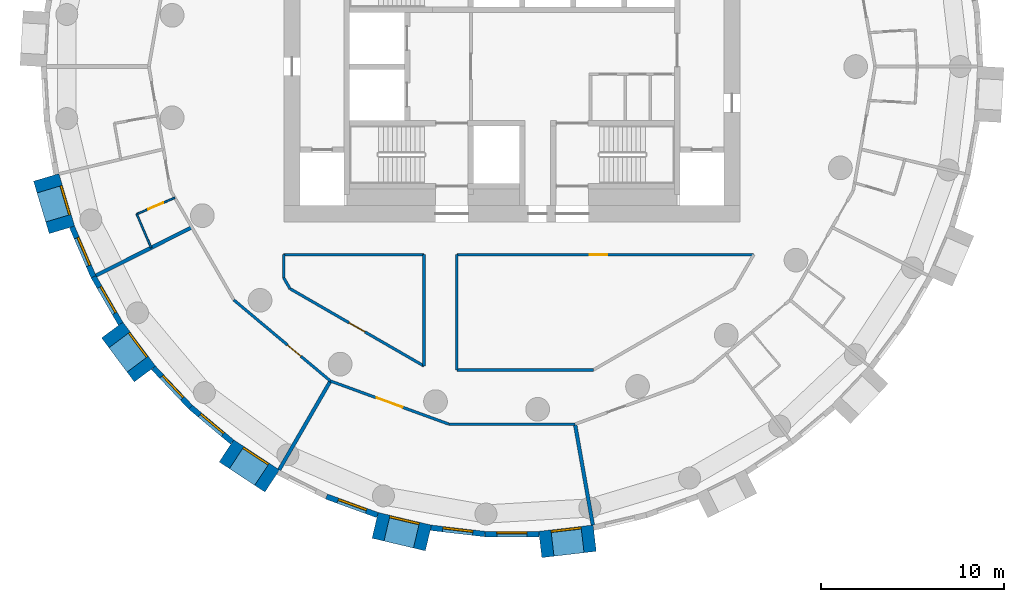
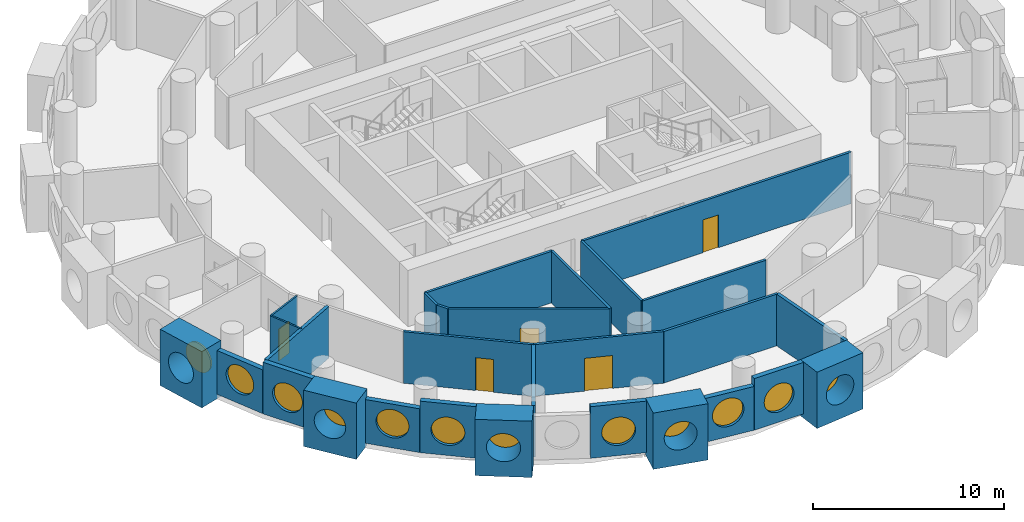
# One storey, part 2 of 9: 28 walls, 12 windows, 5 doors, 17 openings.
"""IFC4 building model written with IfcOpenShell, lengths in metres."""

import ifcopenshell
import ifcopenshell.guid

model = None  # the IFC model being written
_history = None  # IfcOwnerHistory: only IFC2X3 demands one
_inside = {}  # id of a spatial element -> (the spatial element, [elements in it])
_under = {}  # id of a project, library or spatial element -> (it, [spatial elements below it])
_declared = {}  # id of a project -> (the project, [libraries it declares])
_typed = {}  # id of a type object -> (the type object, [elements of that type])
_made_of = {}  # id of a material, layer set ... -> (it, [elements and type objects made of it])


def new_model(schema):
    """Start an empty IFC model of exactly this schema.

    Asked for "IFC4X3", IfcOpenShell would pick the latest addendum, in which some entities
    have other attributes; the version numbers below select the first issue.
    IFC2X3 requires an IfcOwnerHistory on every rooted entity: one is made here for all.
    """
    global model, _history
    if schema == "IFC4X3":
        model = ifcopenshell.file(schema_version=(4, 3, 0, 0))
    else:
        model = ifcopenshell.file(schema=schema)
    _inside.clear()
    _under.clear()
    _declared.clear()
    _typed.clear()
    _made_of.clear()
    _history = None
    if model.schema == "IFC2X3":
        org = make("IfcOrganization", Name="unknown")
        user = make(
            "IfcPersonAndOrganization",
            ThePerson=make("IfcPerson", FamilyName="unknown"),
            TheOrganization=org,
        )
        app = make(
            "IfcApplication",
            ApplicationDeveloper=org,
            Version="unknown",
            ApplicationFullName="unknown",
            ApplicationIdentifier="unknown",
        )
        _history = make(
            "IfcOwnerHistory",
            OwningUser=user,
            OwningApplication=app,
            ChangeAction="ADDED",
            CreationDate=0,
        )
    return model


def make(cls, **values):
    """One entity of the class cls with the attributes given. An attribute that is None is left unset."""
    return model.create_entity(
        cls, **{name: value for name, value in values.items() if value is not None}
    )


def rooted(cls, **values):
    """An entity with a GlobalId (a new one), such as an element, a storey or a relation."""
    return make(cls, GlobalId=ifcopenshell.guid.new(), OwnerHistory=_history, **values)


def si_unit(unit_type, name, prefix=None):
    """IfcSIUnit, for example si_unit("LENGTHUNIT", "METRE", prefix="MILLI")."""
    return make("IfcSIUnit", UnitType=unit_type, Prefix=prefix, Name=name)


def assignment(units):
    """IfcUnitAssignment: the units of a project."""
    return None if units is None else make("IfcUnitAssignment", Units=units)


def point(xyz):
    """IfcCartesianPoint."""
    return None if xyz is None else make("IfcCartesianPoint", Coordinates=xyz)


def direction(xyz):
    """IfcDirection."""
    return None if xyz is None else make("IfcDirection", DirectionRatios=xyz)


def frame(location, z_axis=None, x_axis=None):
    """IfcAxis2Placement3D, a coordinate frame: its origin and axes. An axis left out is left unset."""
    return make(
        "IfcAxis2Placement3D",
        Location=point(location),
        Axis=direction(z_axis),
        RefDirection=direction(x_axis),
    )


def frame_2d(location, x_axis=None):
    """IfcAxis2Placement2D, a coordinate frame in the plane: its origin and x axis."""
    return make(
        "IfcAxis2Placement2D", Location=point(location), RefDirection=direction(x_axis)
    )


def origin():
    """The frame at (0, 0, 0) with its axes left unset."""
    return frame((0.0, 0.0, 0.0))


def origin_2d():
    """The frame at (0, 0) in the plane with its x axis left unset."""
    return frame_2d((0.0, 0.0))


def place(relative_to, where):
    """IfcLocalPlacement: puts the frame where relative to a parent placement (None: the world)."""
    return make(
        "IfcLocalPlacement", PlacementRelTo=relative_to, RelativePlacement=where
    )


def context(
    kind, dimensions, precision=None, world=None, true_north=None, identifier=None
):
    """IfcGeometricRepresentationContext, for example the 3D "Model" context."""
    return make(
        "IfcGeometricRepresentationContext",
        ContextIdentifier=identifier,
        ContextType=kind,
        CoordinateSpaceDimension=dimensions,
        Precision=precision,
        WorldCoordinateSystem=world,
        TrueNorth=true_north,
    )


def subcontext(parent, identifier, kind, view, scale=None):
    """IfcGeometricRepresentationSubContext, for example "Body" below "Model"."""
    return make(
        "IfcGeometricRepresentationSubContext",
        ContextIdentifier=identifier,
        ContextType=kind,
        ParentContext=parent,
        TargetScale=scale,
        TargetView=view,
    )


def project(units=None, contexts=None):
    """IfcProject with its units and contexts."""
    return rooted(
        "IfcProject",
        Name="project",
        RepresentationContexts=contexts,
        UnitsInContext=assignment(units),
    )


def spatial(cls, under=None, at=None, **own):
    """A site, building, storey or space (cls), placed at a placement, below another one or the project."""
    s = rooted(cls, ObjectPlacement=at, **own)
    if under is not None:
        _under.setdefault(under.id(), (under, []))[1].append(s)
    return s


def profile(cls, at=None, kind="AREA", **sizes):
    """A parametric profile (cls). Its sizes go by their IFC names, for example OverallWidth=200.0."""
    return make(cls, ProfileType=kind, Position=at, **sizes)


def rectangle(**sizes):
    """IfcRectangleProfileDef."""
    return profile("IfcRectangleProfileDef", **sizes)


def circle(**sizes):
    """IfcCircleProfileDef."""
    return profile("IfcCircleProfileDef", **sizes)


def extrude(swept, where, along, depth):
    """IfcExtrudedAreaSolid: the profile swept, set in the frame where, extruded along a direction by depth."""
    return make(
        "IfcExtrudedAreaSolid",
        SweptArea=swept,
        Position=where,
        ExtrudedDirection=direction(along),
        Depth=depth,
    )


def shape(context_of_items, identifier, shape_type, items):
    """IfcShapeRepresentation: the items that make up one representation, for example the "Body"."""
    return make(
        "IfcShapeRepresentation",
        ContextOfItems=context_of_items,
        RepresentationIdentifier=identifier,
        RepresentationType=shape_type,
        Items=items,
    )


def material(Name=None, Category=None):
    """IfcMaterial."""
    return make("IfcMaterial", Name=Name, Category=Category)


def layer(
    of_material, thickness, ventilated=None, Name=None, Category=None, Priority=None
):
    """IfcMaterialLayer: one layer of a wall or slab, of a material (None: an air gap)."""
    return make(
        "IfcMaterialLayer",
        Material=of_material,
        LayerThickness=thickness,
        IsVentilated=ventilated,
        Name=Name,
        Category=Category,
        Priority=Priority,
    )


def layer_set(layers, Name=None):
    """IfcMaterialLayerSet."""
    return make("IfcMaterialLayerSet", MaterialLayers=layers, LayerSetName=Name)


def made_of(thing, what):
    """Note that an element or type object is made of a material, layer set ...; save() writes the relation."""
    if what is not None:
        _made_of.setdefault(what.id(), (what, []))[1].append(thing)
    return thing


def type_object(cls, material=None, **own):
    """A type object (cls), such as IfcWallType, which elements share."""
    return made_of(rooted(cls, **own), material)


def element(
    cls,
    number,
    at=None,
    inside=None,
    cuts=None,
    type_object=None,
    material=None,
    context=None,
    identifier="Body",
    shape_type=None,
    held_by="IfcProductDefinitionShape",
    body=None,
    shapes=None,
    **own,
):
    """One element of the class cls, such as IfcWall. Its Tag is "e" and its number.

    at: its placement. inside: the storey or other place that contains it. cuts: it is an
    opening in that element (IfcRelVoidsElement). A single representation is given by context,
    identifier, shape_type and body (its items); several are given by shapes. held_by: the class
    of the entity that holds the representations. save() writes the other relations.
    """
    e = rooted(cls, Tag="e%d" % number, ObjectPlacement=at, **own)
    if body is not None:
        shapes = [shape(context, identifier, shape_type, body)]
    if shapes is not None:
        e.Representation = make(held_by, Representations=shapes)
    if inside is not None:
        _inside.setdefault(inside.id(), (inside, []))[1].append(e)
    if cuts is not None:
        rooted(
            "IfcRelVoidsElement", RelatingBuildingElement=cuts, RelatedOpeningElement=e
        )
    if type_object is not None:
        _typed.setdefault(type_object.id(), (type_object, []))[1].append(e)
    return made_of(e, material)


def fill(opening, filler):
    """IfcRelFillsElement: the door or window that sits in an opening."""
    return rooted(
        "IfcRelFillsElement",
        RelatingOpeningElement=opening,
        RelatedBuildingElement=filler,
    )


def aggregate(whole, parts):
    """IfcRelAggregates: a whole, such as a stair, and the parts it consists of."""
    return rooted("IfcRelAggregates", RelatingObject=whole, RelatedObjects=parts)


def save(model, path):
    """Write the relations noted so far, then the file.

    IfcRelAggregates (storeys below a building ...), IfcRelContainedInSpatialStructure (elements
    in a storey), IfcRelDefinesByType, IfcRelAssociatesMaterial and IfcRelDeclares: one each for
    every whole, place, type object, material and project.
    """
    for whole, parts in _under.values():
        aggregate(whole, parts)
    for where, things in _inside.values():
        rooted(
            "IfcRelContainedInSpatialStructure",
            RelatedElements=things,
            RelatingStructure=where,
        )
    for kind, things in _typed.values():
        rooted("IfcRelDefinesByType", RelatedObjects=things, RelatingType=kind)
    for what, things in _made_of.values():
        rooted("IfcRelAssociatesMaterial", RelatedObjects=things, RelatingMaterial=what)
    for by, libraries in _declared.values():
        rooted("IfcRelDeclares", RelatingContext=by, RelatedDefinitions=libraries)
    model.write(path)


model = new_model("IFC4")

# Units and contexts
model_context = context("Model", 3, precision=1e-05, world=origin(), true_north=direction((0.0, 1.0)))
body_context = subcontext(model_context, "Body", "Model", "MODEL_VIEW")
ifc_project = project(units=[si_unit("LENGTHUNIT", "METRE"), si_unit("AREAUNIT", "SQUARE_METRE"), si_unit("VOLUMEUNIT", "CUBIC_METRE"), si_unit("PLANEANGLEUNIT", "RADIAN"), si_unit("MASSUNIT", "GRAM", prefix="KILO")], contexts=[model_context])

# Site, building, storey
site_placement = place(None, origin())
site = spatial("IfcSite", under=ifc_project, at=site_placement, CompositionType="ELEMENT")
building_placement = place(site_placement, origin())
building = spatial("IfcBuilding", under=site, at=building_placement, Name="Tracery Tower", CompositionType="ELEMENT")
storey_placement = place(building_placement, frame((0.0, 0.0, 190.800048828125)))
storey = spatial("IfcBuildingStorey", under=building, at=storey_placement, Name="L49", CompositionType="ELEMENT", Elevation=190.800048828125)

# Wall, opening, window
ifc_material_1 = material(Name="Precast concrete C50/60", Category="concrete")
ifc_layer_1 = layer(ifc_material_1, 1.449951171875)
ifc_layer_set_1 = layer_set([ifc_layer_1], Name="Deep-set bay unit 3000 x 3600, slab edge 300")
wall_type_1 = type_object("IfcWallType", Name="Deep-set bay unit 3000 x 3600, slab edge 300", PredefinedType="ELEMENTEDWALL", material=ifc_layer_set_1)
wall_1_placement = place(storey_placement, frame((-25.509521484375, -6.0712890625, -0.300048828125), z_axis=(0.0, 0.0, 1.0), x_axis=(0.286780420304, -0.957996341606, 0.0)))
wall_1 = element("IfcWall", 1, at=wall_1_placement, inside=storey, type_object=wall_type_1, Name="Deep-set bay unit 30 at L49", PredefinedType="ELEMENTEDWALL", context=body_context, shape_type="SweptSolid", body=[
    extrude(rectangle(XDim=3.0, YDim=1.449951171875, at=frame_2d((1.5, 0.0))), origin(), (0.0, 0.0, 1.0), 3.60009765625),
])
opening_1_placement = place(wall_1_placement, frame((1.5, 0.0, 1.85009765625)))
opening_1 = element("IfcOpeningElement", 2, at=opening_1_placement, cuts=wall_1, Name="Opening WN1", PredefinedType="OPENING", context=body_context, shape_type="SweptSolid", body=[
    extrude(circle(Radius=0.9000244140625, at=origin_2d()), frame((0.0, 0.73486328125, 0.0), z_axis=(0.0, -1.0, 0.0), x_axis=(1.0, 0.0, 0.0)), (0.0, 0.0, 1.0), 1.469970703125),
])
ifc_material_2 = material(Name="Aluminium frame with tinted double glazing", Category="aluminium")
window_type = type_object("IfcWindowType", Name="Round window 1800", PartitioningType="SINGLE_PANEL", PredefinedType="WINDOW", material=ifc_material_2)
window_1_placement = place(opening_1_placement, origin())
window_1 = element("IfcWindow", 3, at=window_1_placement, inside=storey, type_object=window_type, Name="Round window 30 at L49", OverallHeight=1.800048828125, OverallWidth=1.800048828125, PartitioningType="SINGLE_PANEL", PredefinedType="WINDOW", context=body_context, shape_type="SweptSolid", body=[
    extrude(circle(Radius=0.9000244140625, at=origin_2d()), frame((0.0, 0.69482421875, 0.0), z_axis=(0.0, -1.0, 0.0), x_axis=(1.0, 0.0, 0.0)), (0.0, 0.0, 1.0), 0.10009765625),
])
fill(opening_1, window_1)

wall_2_placement = place(storey_placement, frame((-21.89453125, -14.429931640625, -0.300048828125), z_axis=(0.0, 0.0, 1.0), x_axis=(0.597183717734, -0.802104486506, 0.0)))
wall_2 = element("IfcWall", 4, at=wall_2_placement, inside=storey, type_object=wall_type_1, Name="Deep-set bay unit 33 at L49", PredefinedType="ELEMENTEDWALL", context=body_context, shape_type="SweptSolid", body=[
    extrude(rectangle(XDim=3.0, YDim=1.449951171875, at=frame_2d((1.5, 0.0))), origin(), (0.0, 0.0, 1.0), 3.60009765625),
])
opening_2_placement = place(wall_2_placement, frame((1.5, 0.0, 1.85009765625)))
opening_2 = element("IfcOpeningElement", 5, at=opening_2_placement, cuts=wall_2, Name="Opening WN1", PredefinedType="OPENING", context=body_context, shape_type="SweptSolid", body=[
    extrude(circle(Radius=0.9000244140625, at=origin_2d()), frame((0.0, 0.73486328125, 0.0), z_axis=(0.0, -1.0, 0.0), x_axis=(1.0, 0.0, 0.0)), (0.0, 0.0, 1.0), 1.469970703125),
])
window_2_placement = place(opening_2_placement, origin())
window_2 = element("IfcWindow", 6, at=window_2_placement, inside=storey, type_object=window_type, Name="Round window 33 at L49", OverallHeight=1.800048828125, OverallWidth=1.800048828125, PartitioningType="SINGLE_PANEL", PredefinedType="WINDOW", context=body_context, shape_type="SweptSolid", body=[
    extrude(circle(Radius=0.9000244140625, at=origin_2d()), frame((0.0, 0.69482421875, 0.0), z_axis=(0.0, -1.0, 0.0), x_axis=(1.0, 0.0, 0.0)), (0.0, 0.0, 1.0), 0.10009765625),
])
fill(opening_2, window_2)

wall_3_placement = place(storey_placement, frame((-15.638916015625, -21.048095703125, -0.300048828125), z_axis=(0.0, 0.0, 1.0), x_axis=(0.835514416706, -0.549468524554, 0.0)))
wall_3 = element("IfcWall", 7, at=wall_3_placement, inside=storey, type_object=wall_type_1, Name="Deep-set bay unit 36 at L49", PredefinedType="ELEMENTEDWALL", context=body_context, shape_type="SweptSolid", body=[
    extrude(rectangle(XDim=3.0, YDim=1.449951171875, at=frame_2d((1.5, 0.0))), origin(), (0.0, 0.0, 1.0), 3.60009765625),
])
opening_3_placement = place(wall_3_placement, frame((1.5, 0.0, 1.85009765625)))
opening_3 = element("IfcOpeningElement", 8, at=opening_3_placement, cuts=wall_3, Name="Opening WN1", PredefinedType="OPENING", context=body_context, shape_type="SweptSolid", body=[
    extrude(circle(Radius=0.9000244140625, at=origin_2d()), frame((0.0, 0.73486328125, 0.0), z_axis=(0.0, -1.0, 0.0), x_axis=(1.0, 0.0, 0.0)), (0.0, 0.0, 1.0), 1.469970703125),
])
window_3_placement = place(opening_3_placement, origin())
window_3 = element("IfcWindow", 9, at=window_3_placement, inside=storey, type_object=window_type, Name="Round window 36 at L49", OverallHeight=1.800048828125, OverallWidth=1.800048828125, PartitioningType="SINGLE_PANEL", PredefinedType="WINDOW", context=body_context, shape_type="SweptSolid", body=[
    extrude(circle(Radius=0.9000244140625, at=origin_2d()), frame((0.0, 0.69482421875, 0.0), z_axis=(0.0, -1.0, 0.0), x_axis=(1.0, 0.0, 0.0)), (0.0, 0.0, 1.0), 0.10009765625),
])
fill(opening_3, window_3)

wall_4_placement = place(storey_placement, frame((-7.496826171875, -25.12744140625, -0.300048828125), z_axis=(0.0, 0.0, 1.0), x_axis=(0.973042333261, -0.23062657627, 0.0)))
wall_4 = element("IfcWall", 10, at=wall_4_placement, inside=storey, type_object=wall_type_1, Name="Deep-set bay unit 39 at L49", PredefinedType="ELEMENTEDWALL", context=body_context, shape_type="SweptSolid", body=[
    extrude(rectangle(XDim=3.0, YDim=1.449951171875, at=frame_2d((1.5, 0.0))), origin(), (0.0, 0.0, 1.0), 3.60009765625),
])
opening_4_placement = place(wall_4_placement, frame((1.5, 0.0, 1.85009765625)))
opening_4 = element("IfcOpeningElement", 11, at=opening_4_placement, cuts=wall_4, Name="Opening WN1", PredefinedType="OPENING", context=body_context, shape_type="SweptSolid", body=[
    extrude(circle(Radius=0.9000244140625, at=origin_2d()), frame((0.0, 0.73486328125, 0.0), z_axis=(0.0, -1.0, 0.0), x_axis=(1.0, 0.0, 0.0)), (0.0, 0.0, 1.0), 1.469970703125),
])
window_4_placement = place(opening_4_placement, origin())
window_4 = element("IfcWindow", 12, at=window_4_placement, inside=storey, type_object=window_type, Name="Round window 39 at L49", OverallHeight=1.800048828125, OverallWidth=1.800048828125, PartitioningType="SINGLE_PANEL", PredefinedType="WINDOW", context=body_context, shape_type="SweptSolid", body=[
    extrude(circle(Radius=0.9000244140625, at=origin_2d()), frame((0.0, 0.69482421875, 0.0), z_axis=(0.0, -1.0, 0.0), x_axis=(1.0, 0.0, 0.0)), (0.0, 0.0, 1.0), 0.10009765625),
])
fill(opening_4, window_4)

wall_5_placement = place(storey_placement, frame((1.54931640625, -26.17626953125, -0.300048828125), z_axis=(0.0, 0.0, 1.0), x_axis=(0.9932342274, 0.116128246006, 0.0)))
wall_5 = element("IfcWall", 13, at=wall_5_placement, inside=storey, type_object=wall_type_1, Name="Deep-set bay unit 42 at L49", PredefinedType="ELEMENTEDWALL", context=body_context, shape_type="SweptSolid", body=[
    extrude(rectangle(XDim=3.0, YDim=1.449951171875, at=frame_2d((1.5, 0.0))), origin(), (0.0, 0.0, 1.0), 3.60009765625),
])
opening_5_placement = place(wall_5_placement, frame((1.5, 0.0, 1.85009765625)))
opening_5 = element("IfcOpeningElement", 14, at=opening_5_placement, cuts=wall_5, Name="Opening WN1", PredefinedType="OPENING", context=body_context, shape_type="SweptSolid", body=[
    extrude(circle(Radius=0.9000244140625, at=origin_2d()), frame((0.0, 0.73486328125, 0.0), z_axis=(0.0, -1.0, 0.0), x_axis=(1.0, 0.0, 0.0)), (0.0, 0.0, 1.0), 1.469970703125),
])
window_5_placement = place(opening_5_placement, origin())
window_5 = element("IfcWindow", 15, at=window_5_placement, inside=storey, type_object=window_type, Name="Round window 42 at L49", OverallHeight=1.800048828125, OverallWidth=1.800048828125, PartitioningType="SINGLE_PANEL", PredefinedType="WINDOW", context=body_context, shape_type="SweptSolid", body=[
    extrude(circle(Radius=0.9000244140625, at=origin_2d()), frame((0.0, 0.69482421875, 0.0), z_axis=(0.0, -1.0, 0.0), x_axis=(1.0, 0.0, 0.0)), (0.0, 0.0, 1.0), 0.10009765625),
])
fill(opening_5, window_5)

ifc_material_3 = material(Name="Precast concrete C50/60", Category="concrete")
ifc_layer_2 = layer(ifc_material_3, 0.300048828125)
ifc_layer_set_2 = layer_set([ifc_layer_2], Name="Facade panel 3000 x 2800")
wall_type_2 = type_object("IfcWallType", Name="Facade panel 3000 x 2800", PredefinedType="SOLIDWALL", material=ifc_layer_set_2)
wall_6_placement = place(storey_placement, frame((-24.096923828125, -8.78076171875, 0.0), z_axis=(0.0, 0.0, 1.0), x_axis=(0.396078892785, -0.918216483565, 0.0)))
wall_6 = element("IfcWall", 16, at=wall_6_placement, inside=storey, type_object=wall_type_2, Name="Facade panel 31 at L49", PredefinedType="SOLIDWALL", context=body_context, shape_type="SweptSolid", body=[
    extrude(rectangle(XDim=2.972900390625, YDim=0.300048828125, at=frame_2d((1.486328125, 0.0))), origin(), (0.0, 0.0, 1.0), 2.800048828125),
])
opening_6_placement = place(wall_6_placement, frame((1.486328125, 0.0, 1.5498046875)))
opening_6 = element("IfcOpeningElement", 17, at=opening_6_placement, cuts=wall_6, Name="Opening WN1", PredefinedType="OPENING", context=body_context, shape_type="SweptSolid", body=[
    extrude(circle(Radius=0.9000244140625, at=origin_2d()), frame((0.0, 0.159912109375, 0.0), z_axis=(0.0, -1.0, 0.0), x_axis=(1.0, 0.0, 0.0)), (0.0, 0.0, 1.0), 0.320068359375),
])
window_6_placement = place(opening_6_placement, origin())
window_6 = element("IfcWindow", 18, at=window_6_placement, inside=storey, type_object=window_type, Name="Round window 31 at L49", OverallHeight=1.800048828125, OverallWidth=1.800048828125, PartitioningType="SINGLE_PANEL", PredefinedType="WINDOW", context=body_context, shape_type="SweptSolid", body=[
    extrude(circle(Radius=0.9000244140625, at=origin_2d()), frame((0.0, 0.1201171875, 0.0), z_axis=(0.0, -1.0, 0.0), x_axis=(1.0, 0.0, 0.0)), (0.0, 0.0, 1.0), 0.10009765625),
])
fill(opening_6, window_6)

wall_7_placement = place(storey_placement, frame((-19.640380859375, -16.492919921875, 0.0), z_axis=(0.0, 0.0, 1.0), x_axis=(0.686235184166, -0.727379730273, 0.0)))
wall_7 = element("IfcWall", 19, at=wall_7_placement, inside=storey, type_object=wall_type_2, Name="Facade panel 34 at L49", PredefinedType="SOLIDWALL", context=body_context, shape_type="SweptSolid", body=[
    extrude(rectangle(XDim=2.972900390625, YDim=0.300048828125, at=frame_2d((1.486328125, 0.0))), origin(), (0.0, 0.0, 1.0), 2.800048828125),
])
opening_7_placement = place(wall_7_placement, frame((1.486328125, 0.0, 1.5498046875)))
opening_7 = element("IfcOpeningElement", 20, at=opening_7_placement, cuts=wall_7, Name="Opening WN1", PredefinedType="OPENING", context=body_context, shape_type="SweptSolid", body=[
    extrude(circle(Radius=0.9000244140625, at=origin_2d()), frame((0.0, 0.159912109375, 0.0), z_axis=(0.0, -1.0, 0.0), x_axis=(1.0, 0.0, 0.0)), (0.0, 0.0, 1.0), 0.320068359375),
])
window_7_placement = place(opening_7_placement, origin())
window_7 = element("IfcWindow", 21, at=window_7_placement, inside=storey, type_object=window_type, Name="Round window 34 at L49", OverallHeight=1.800048828125, OverallWidth=1.800048828125, PartitioningType="SINGLE_PANEL", PredefinedType="WINDOW", context=body_context, shape_type="SweptSolid", body=[
    extrude(circle(Radius=0.9000244140625, at=origin_2d()), frame((0.0, 0.1201171875, 0.0), z_axis=(0.0, -1.0, 0.0), x_axis=(1.0, 0.0, 0.0)), (0.0, 0.0, 1.0), 0.10009765625),
])
fill(opening_7, window_7)

wall_8_placement = place(storey_placement, frame((-4.444091796875, -25.259033203125, 0.0), z_axis=(0.0, 0.0, 1.0), x_axis=(0.993245010522, -0.1160359818, 0.0)))
wall_8 = element("IfcWall", 22, at=wall_8_placement, inside=storey, type_object=wall_type_2, Name="Facade panel 40 at L49", PredefinedType="SOLIDWALL", context=body_context, shape_type="SweptSolid", body=[
    extrude(rectangle(XDim=2.972900390625, YDim=0.300048828125, at=frame_2d((1.486328125, 0.0))), origin(), (0.0, 0.0, 1.0), 2.800048828125),
])
opening_8_placement = place(wall_8_placement, frame((1.486328125, 0.0, 1.5498046875)))
opening_8 = element("IfcOpeningElement", 23, at=opening_8_placement, cuts=wall_8, Name="Opening WN1", PredefinedType="OPENING", context=body_context, shape_type="SweptSolid", body=[
    extrude(circle(Radius=0.9000244140625, at=origin_2d()), frame((0.0, 0.159912109375, 0.0), z_axis=(0.0, -1.0, 0.0), x_axis=(1.0, 0.0, 0.0)), (0.0, 0.0, 1.0), 0.320068359375),
])
window_8_placement = place(opening_8_placement, origin())
window_8 = element("IfcWindow", 24, at=window_8_placement, inside=storey, type_object=window_type, Name="Round window 40 at L49", OverallHeight=1.800048828125, OverallWidth=1.800048828125, PartitioningType="SINGLE_PANEL", PredefinedType="WINDOW", context=body_context, shape_type="SweptSolid", body=[
    extrude(circle(Radius=0.9000244140625, at=origin_2d()), frame((0.0, 0.1201171875, 0.0), z_axis=(0.0, -1.0, 0.0), x_axis=(1.0, 0.0, 0.0)), (0.0, 0.0, 1.0), 0.10009765625),
])
fill(opening_8, window_8)

ifc_material_4 = material(Name="Precast concrete C50/60", Category="concrete")
ifc_layer_3 = layer(ifc_material_4, 0.300048828125)
ifc_layer_set_3 = layer_set([ifc_layer_3], Name="Facade panel 3000 x 3300")
wall_type_3 = type_object("IfcWallType", Name="Facade panel 3000 x 3300", PredefinedType="SOLIDWALL", material=ifc_layer_set_3)
wall_9_placement = place(storey_placement, frame((-22.91943359375, -11.510498046875, 0.0), z_axis=(0.0, 0.0, 1.0), x_axis=(0.500016263033, -0.866016014115, 0.0)))
wall_9 = element("IfcWall", 25, at=wall_9_placement, inside=storey, type_object=wall_type_3, Name="Facade panel 32 at L49", PredefinedType="SOLIDWALL", context=body_context, shape_type="SweptSolid", body=[
    extrude(rectangle(XDim=2.97314453125, YDim=0.300048828125, at=frame_2d((1.486572265625, 0.0))), origin(), (0.0, 0.0, 1.0), 3.300048828125),
])
opening_9_placement = place(wall_9_placement, frame((1.486328125, 0.0, 1.5498046875)))
opening_9 = element("IfcOpeningElement", 26, at=opening_9_placement, cuts=wall_9, Name="Opening WN1", PredefinedType="OPENING", context=body_context, shape_type="SweptSolid", body=[
    extrude(circle(Radius=0.9000244140625, at=origin_2d()), frame((0.0, 0.159912109375, 0.0), z_axis=(0.0, -1.0, 0.0), x_axis=(1.0, 0.0, 0.0)), (0.0, 0.0, 1.0), 0.320068359375),
])
window_9_placement = place(opening_9_placement, origin())
window_9 = element("IfcWindow", 27, at=window_9_placement, inside=storey, type_object=window_type, Name="Round window 32 at L49", OverallHeight=1.800048828125, OverallWidth=1.800048828125, PartitioningType="SINGLE_PANEL", PredefinedType="WINDOW", context=body_context, shape_type="SweptSolid", body=[
    extrude(circle(Radius=0.9000244140625, at=origin_2d()), frame((0.0, 0.1201171875, 0.0), z_axis=(0.0, -1.0, 0.0), x_axis=(1.0, 0.0, 0.0)), (0.0, 0.0, 1.0), 0.10009765625),
])
fill(opening_9, window_9)

wall_10_placement = place(storey_placement, frame((-17.600341796875, -18.6552734375, 0.0), z_axis=(0.0, 0.0, 1.0), x_axis=(0.766049350637, -0.642781761089, 0.0)))
wall_10 = element("IfcWall", 28, at=wall_10_placement, inside=storey, type_object=wall_type_3, Name="Facade panel 35 at L49", PredefinedType="SOLIDWALL", context=body_context, shape_type="SweptSolid", body=[
    extrude(rectangle(XDim=2.972900390625, YDim=0.300048828125, at=frame_2d((1.486328125, 0.0))), origin(), (0.0, 0.0, 1.0), 3.300048828125),
])
opening_10_placement = place(wall_10_placement, frame((1.486328125, 0.0, 1.5498046875)))
opening_10 = element("IfcOpeningElement", 29, at=opening_10_placement, cuts=wall_10, Name="Opening WN1", PredefinedType="OPENING", context=body_context, shape_type="SweptSolid", body=[
    extrude(circle(Radius=0.9000244140625, at=origin_2d()), frame((0.0, 0.159912109375, 0.0), z_axis=(0.0, -1.0, 0.0), x_axis=(1.0, 0.0, 0.0)), (0.0, 0.0, 1.0), 0.320068359375),
])
window_10_placement = place(opening_10_placement, origin())
window_10 = element("IfcWindow", 30, at=window_10_placement, inside=storey, type_object=window_type, Name="Round window 35 at L49", OverallHeight=1.800048828125, OverallWidth=1.800048828125, PartitioningType="SINGLE_PANEL", PredefinedType="WINDOW", context=body_context, shape_type="SweptSolid", body=[
    extrude(circle(Radius=0.9000244140625, at=origin_2d()), frame((0.0, 0.1201171875, 0.0), z_axis=(0.0, -1.0, 0.0), x_axis=(1.0, 0.0, 0.0)), (0.0, 0.0, 1.0), 0.10009765625),
])
fill(opening_10, window_10)

wall_11_placement = place(storey_placement, frame((-10.158447265625, -23.5498046875, 0.0), z_axis=(0.0, 0.0, 1.0), x_axis=(0.939690282133, -0.342026568652, 0.0)))
wall_11 = element("IfcWall", 31, at=wall_11_placement, inside=storey, type_object=wall_type_3, Name="Facade panel 38 at L49", PredefinedType="SOLIDWALL", context=body_context, shape_type="SweptSolid", body=[
    extrude(rectangle(XDim=2.972900390625, YDim=0.300048828125, at=frame_2d((1.486328125, 0.0))), origin(), (0.0, 0.0, 1.0), 3.300048828125),
])
opening_11_placement = place(wall_11_placement, frame((1.486328125, 0.0, 1.5498046875)))
opening_11 = element("IfcOpeningElement", 32, at=opening_11_placement, cuts=wall_11, Name="Opening WN1", PredefinedType="OPENING", context=body_context, shape_type="SweptSolid", body=[
    extrude(circle(Radius=0.9000244140625, at=origin_2d()), frame((0.0, 0.159912109375, 0.0), z_axis=(0.0, -1.0, 0.0), x_axis=(1.0, 0.0, 0.0)), (0.0, 0.0, 1.0), 0.320068359375),
])
window_11_placement = place(opening_11_placement, origin())
window_11 = element("IfcWindow", 33, at=window_11_placement, inside=storey, type_object=window_type, Name="Round window 38 at L49", OverallHeight=1.800048828125, OverallWidth=1.800048828125, PartitioningType="SINGLE_PANEL", PredefinedType="WINDOW", context=body_context, shape_type="SweptSolid", body=[
    extrude(circle(Radius=0.9000244140625, at=origin_2d()), frame((0.0, 0.1201171875, 0.0), z_axis=(0.0, -1.0, 0.0), x_axis=(1.0, 0.0, 0.0)), (0.0, 0.0, 1.0), 0.10009765625),
])
fill(opening_11, window_11)

wall_12_placement = place(storey_placement, frame((-1.4912109375, -25.60400390625, 0.0), z_axis=(0.0, 0.0, 1.0), x_axis=(1.0, 0.0, 0.0)))
wall_12 = element("IfcWall", 34, at=wall_12_placement, inside=storey, type_object=wall_type_3, Name="Facade panel 41 at L49", PredefinedType="SOLIDWALL", context=body_context, shape_type="SweptSolid", body=[
    extrude(rectangle(XDim=2.972900390625, YDim=0.300048828125, at=frame_2d((1.486328125, 0.0))), origin(), (0.0, 0.0, 1.0), 3.300048828125),
])
opening_12_placement = place(wall_12_placement, frame((1.486328125, 0.0, 1.5498046875)))
opening_12 = element("IfcOpeningElement", 35, at=opening_12_placement, cuts=wall_12, Name="Opening WN1", PredefinedType="OPENING", context=body_context, shape_type="SweptSolid", body=[
    extrude(circle(Radius=0.9000244140625, at=origin_2d()), frame((0.0, 0.159912109375, 0.0), z_axis=(0.0, -1.0, 0.0), x_axis=(1.0, 0.0, 0.0)), (0.0, 0.0, 1.0), 0.320068359375),
])
window_12_placement = place(opening_12_placement, origin())
window_12 = element("IfcWindow", 36, at=window_12_placement, inside=storey, type_object=window_type, Name="Round window 41 at L49", OverallHeight=1.800048828125, OverallWidth=1.800048828125, PartitioningType="SINGLE_PANEL", PredefinedType="WINDOW", context=body_context, shape_type="SweptSolid", body=[
    extrude(circle(Radius=0.9000244140625, at=origin_2d()), frame((0.0, 0.1201171875, 0.0), z_axis=(0.0, -1.0, 0.0), x_axis=(1.0, 0.0, 0.0)), (0.0, 0.0, 1.0), 0.10009765625),
])
fill(opening_12, window_12)

# Wall, opening, door
ifc_material_5 = material(Name="Plasterboard on steel studs", Category="steel")
ifc_layer_4 = layer(ifc_material_5, 0.10009765625)
ifc_layer_set_4 = layer_set([ifc_layer_4], Name="Partition 100 wet wall")
wall_type_4 = type_object("IfcWallType", Name="Partition 100 wet wall", PredefinedType="PARTITIONING", material=ifc_layer_set_4)
wall_13_placement = place(storey_placement, frame((-20.552978515625, -8.083984375, 0.0), z_axis=(0.0, 0.0, 1.0), x_axis=(0.918353723737, 0.395760581789, 0.0)))
wall_13 = element("IfcWall", 37, at=wall_13_placement, inside=storey, type_object=wall_type_4, Name="Wet wall RB7-052", PredefinedType="PARTITIONING", context=body_context, shape_type="SweptSolid", body=[
    extrude(rectangle(XDim=2.271484375, YDim=0.10009765625, at=frame_2d((1.1357421875, 0.0))), origin(), (0.0, 0.0, 1.0), 3.300048828125),
])
opening_13_placement = place(wall_13_placement, frame((0.685546875, 0.0, 0.0)))
opening_13 = element("IfcOpeningElement", 38, at=opening_13_placement, cuts=wall_13, Name="Opening RB7-14", PredefinedType="OPENING", context=body_context, shape_type="SweptSolid", body=[
    extrude(rectangle(XDim=0.89990234375, YDim=2.0400390625, at=frame_2d((0.449951171875, 1.02001953125))), frame((0.0, 0.050048828125, 0.0), z_axis=(0.0, -1.0, 0.0), x_axis=(1.0, 0.0, 0.0)), (0.0, 0.0, 1.0), 0.10009765625),
])
ifc_material_6 = material(Name="Timber door leaf", Category="wood")
door_type_1 = type_object("IfcDoorType", Name="Door en-suite 900", OperationType="NOTDEFINED", PredefinedType="DOOR", material=ifc_material_6)
door_1_placement = place(opening_13_placement, origin())
door_1 = element("IfcDoor", 39, at=door_1_placement, inside=storey, type_object=door_type_1, Name="En-suite door RB7-14", OperationType="SINGLE_SWING_RIGHT", OverallHeight=2.0400390625, OverallWidth=0.89990234375, PredefinedType="DOOR", context=body_context, shape_type="SweptSolid", body=[
    extrude(rectangle(XDim=0.89990234375, YDim=2.0400390625, at=frame_2d((0.449951171875, 1.02001953125))), frame((0.0, 0.02490234375, 0.0), z_axis=(0.0, -1.0, 0.0), x_axis=(1.0, 0.0, 0.0)), (0.0, 0.0, 1.0), 0.050048828125),
])
fill(opening_13, door_1)

# Walls
wall_14_placement = place(storey_placement, frame((-20.552978515625, -8.083984375, 0.0), z_axis=(0.0, 0.0, 1.0), x_axis=(0.395756708969, -0.918355392703, 0.0)))
element("IfcWall", 40, at=wall_14_placement, inside=storey, type_object=wall_type_4, Name="Wet wall RB7-053", PredefinedType="PARTITIONING", context=body_context, shape_type="SweptSolid", body=[
    extrude(rectangle(XDim=2.003662109375, YDim=0.10009765625, at=frame_2d((1.001953125, 0.0))), origin(), (0.0, 0.0, 1.0), 3.300048828125),
])
ifc_material_7 = material(Name="Plasterboard on steel studs", Category="steel")
ifc_layer_5 = layer(ifc_material_7, 0.14990234375)
ifc_layer_set_5 = layer_set([ifc_layer_5], Name="Partition 150 corridor wall")
wall_type_5 = type_object("IfcWallType", Name="Partition 150 corridor wall", PredefinedType="PARTITIONING", material=ifc_layer_set_5)
wall_15_placement = place(storey_placement, frame((-12.50390625, -10.300048828125, 0.0), z_axis=(0.0, 0.0, 1.0), x_axis=(1.0, 0.0, 0.0)))
element("IfcWall", 41, at=wall_15_placement, inside=storey, type_object=wall_type_5, Name="Corridor wall RB7-003", PredefinedType="PARTITIONING", context=body_context, shape_type="SweptSolid", body=[
    extrude(rectangle(XDim=7.68701171875, YDim=0.14990234375, at=frame_2d((3.843505859375, 0.0))), origin(), (0.0, 0.0, 1.0), 3.300048828125),
])

# Wall, opening, door
wall_16_placement = place(storey_placement, frame((-3.02490234375, -10.300048828125, 0.0), z_axis=(0.0, 0.0, 1.0), x_axis=(1.0, 0.0, 0.0)))
wall_16 = element("IfcWall", 42, at=wall_16_placement, inside=storey, type_object=wall_type_5, Name="Corridor wall RB7-004", PredefinedType="PARTITIONING", context=body_context, shape_type="SweptSolid", body=[
    extrude(rectangle(XDim=16.261962890625, YDim=0.14990234375, at=frame_2d((8.130859375, 0.0))), origin(), (0.0, 0.0, 1.0), 3.300048828125),
])
opening_14_placement = place(wall_16_placement, frame((7.287109375, 0.0, 0.0)))
opening_14 = element("IfcOpeningElement", 43, at=opening_14_placement, cuts=wall_16, Name="Opening RB7-04", PredefinedType="OPENING", context=body_context, shape_type="SweptSolid", body=[
    extrude(rectangle(XDim=0.949951171875, YDim=2.10009765625, at=frame_2d((0.47509765625, 1.050048828125))), frame((0.0, 0.074951171875, 0.0), z_axis=(0.0, -1.0, 0.0), x_axis=(1.0, 0.0, 0.0)), (0.0, 0.0, 1.0), 0.14990234375),
])
ifc_material_8 = material(Name="Timber door leaf", Category="wood")
door_type_2 = type_object("IfcDoorType", Name="Door store 950", OperationType="NOTDEFINED", PredefinedType="DOOR", material=ifc_material_8)
door_2_placement = place(opening_14_placement, origin())
door_2 = element("IfcDoor", 44, at=door_2_placement, inside=storey, type_object=door_type_2, Name="Store door RB7-04", OperationType="SINGLE_SWING_RIGHT", OverallHeight=2.10009765625, OverallWidth=0.949951171875, PredefinedType="DOOR", context=body_context, shape_type="SweptSolid", body=[
    extrude(rectangle(XDim=0.949951171875, YDim=2.10009765625, at=frame_2d((0.47509765625, 1.050048828125))), frame((0.0, 0.02490234375, 0.0), z_axis=(0.0, -1.0, 0.0), x_axis=(1.0, 0.0, 0.0)), (0.0, 0.0, 1.0), 0.050048828125),
])
fill(opening_14, door_2)

# Walls
wall_17_placement = place(storey_placement, frame((-12.5, -11.576904296875, 0.0), z_axis=(0.0, 0.0, 1.0), x_axis=(0.0, 1.0, 0.0)))
element("IfcWall", 45, at=wall_17_placement, inside=storey, type_object=wall_type_5, Name="Corridor wall RB7-025", PredefinedType="PARTITIONING", context=body_context, shape_type="SweptSolid", body=[
    extrude(rectangle(XDim=1.27685546875, YDim=0.14990234375, at=frame_2d((0.638427734375, 0.0))), origin(), (0.0, 0.0, 1.0), 3.300048828125),
])
wall_18_placement = place(storey_placement, frame((-12.5, -11.576904296875, 0.0), z_axis=(0.0, 0.0, 1.0), x_axis=(0.500024767483, -0.866011103799, 0.0)))
element("IfcWall", 46, at=wall_18_placement, inside=storey, type_object=wall_type_5, Name="Corridor wall RB7-026", PredefinedType="PARTITIONING", context=body_context, shape_type="SweptSolid", body=[
    extrude(rectangle(XDim=0.67578125, YDim=0.14990234375, at=frame_2d((0.337890625, 0.0))), origin(), (0.0, 0.0, 1.0), 3.300048828125),
])

# Wall, opening, door
wall_19_placement = place(storey_placement, frame((-15.235107421875, -12.783935546875, 0.0), z_axis=(0.0, 0.0, 1.0), x_axis=(0.766192104565, -0.642611592567, 0.0)))
wall_19 = element("IfcWall", 47, at=wall_19_placement, inside=storey, type_object=wall_type_5, Name="Corridor wall RB7-031", PredefinedType="PARTITIONING", context=body_context, shape_type="SweptSolid", body=[
    extrude(rectangle(XDim=6.906494140625, YDim=0.14990234375, at=frame_2d((3.453125, 0.0))), origin(), (0.0, 0.0, 1.0), 3.300048828125),
])
opening_15_placement = place(wall_19_placement, frame((3.848388671875, 0.0, 0.0)))
opening_15 = element("IfcOpeningElement", 48, at=opening_15_placement, cuts=wall_19, Name="Opening RB7-16", PredefinedType="OPENING", context=body_context, shape_type="SweptSolid", body=[
    extrude(rectangle(XDim=0.949951171875, YDim=2.10009765625, at=frame_2d((0.47509765625, 1.050048828125))), frame((0.0, 0.074951171875, 0.0), z_axis=(0.0, -1.0, 0.0), x_axis=(1.0, 0.0, 0.0)), (0.0, 0.0, 1.0), 0.14990234375),
])
door_3_placement = place(opening_15_placement, origin())
door_3 = element("IfcDoor", 49, at=door_3_placement, inside=storey, type_object=door_type_2, Name="Store door RB7-16", OperationType="SINGLE_SWING_LEFT", OverallHeight=2.10009765625, OverallWidth=0.949951171875, PredefinedType="DOOR", context=body_context, shape_type="SweptSolid", body=[
    extrude(rectangle(XDim=0.949951171875, YDim=2.10009765625, at=frame_2d((0.47509765625, 1.050048828125))), frame((0.0, 0.02490234375, 0.0), z_axis=(0.0, -1.0, 0.0), x_axis=(1.0, 0.0, 0.0)), (0.0, 0.0, 1.0), 0.050048828125),
])
fill(opening_15, door_3)

wall_20_placement = place(storey_placement, frame((-12.162109375, -12.162109375, 0.0), z_axis=(0.0, 0.0, 1.0), x_axis=(0.866004766557, -0.500035743023, 0.0)))
wall_20 = element("IfcWall", 50, at=wall_20_placement, inside=storey, type_object=wall_type_5, Name="Corridor wall RB7-032", PredefinedType="PARTITIONING", context=body_context, shape_type="SweptSolid", body=[
    extrude(rectangle(XDim=8.47705078125, YDim=0.14990234375, at=frame_2d((4.238525390625, 0.0))), origin(), (0.0, 0.0, 1.0), 3.300048828125),
])
opening_16_placement = place(wall_20_placement, frame((3.738037109375, 0.0, 0.0)))
opening_16 = element("IfcOpeningElement", 51, at=opening_16_placement, cuts=wall_20, Name="Opening RB7-03", PredefinedType="OPENING", context=body_context, shape_type="SweptSolid", body=[
    extrude(rectangle(XDim=1.0, YDim=2.0400390625, at=frame_2d((0.5, 1.02001953125))), frame((0.0, 0.074951171875, 0.0), z_axis=(0.0, -1.0, 0.0), x_axis=(1.0, 0.0, 0.0)), (0.0, 0.0, 1.0), 0.14990234375),
])
ifc_material_9 = material(Name="Timber door leaf", Category="wood")
door_type_3 = type_object("IfcDoorType", Name="Door communal room 1000", OperationType="NOTDEFINED", PredefinedType="DOOR", material=ifc_material_9)
door_4_placement = place(opening_16_placement, origin())
door_4 = element("IfcDoor", 52, at=door_4_placement, inside=storey, type_object=door_type_3, Name="Communal room door RB7-03", OperationType="SINGLE_SWING_LEFT", OverallHeight=2.0400390625, OverallWidth=1.0, PredefinedType="DOOR", context=body_context, shape_type="SweptSolid", body=[
    extrude(rectangle(XDim=1.0, YDim=2.0400390625, at=frame_2d((0.5, 1.02001953125))), frame((0.0, 0.02490234375, 0.0), z_axis=(0.0, -1.0, 0.0), x_axis=(1.0, 0.0, 0.0)), (0.0, 0.0, 1.0), 0.050048828125),
])
fill(opening_16, door_4)

# Walls
wall_21_placement = place(storey_placement, frame((-4.821044921875, -16.40087890625, 0.0), z_axis=(0.0, 0.0, 1.0), x_axis=(0.0, 1.0, 0.0)))
element("IfcWall", 53, at=wall_21_placement, inside=storey, type_object=wall_type_5, Name="Corridor wall RB7-033", PredefinedType="PARTITIONING", context=body_context, shape_type="SweptSolid", body=[
    extrude(rectangle(XDim=6.100830078125, YDim=0.14990234375, at=frame_2d((3.05029296875, 0.0))), origin(), (0.0, 0.0, 1.0), 3.300048828125),
])
wall_22_placement = place(storey_placement, frame((-3.02099609375, -16.614013671875, 0.0), z_axis=(0.0, 0.0, 1.0), x_axis=(0.0, 1.0, 0.0)))
element("IfcWall", 54, at=wall_22_placement, inside=storey, type_object=wall_type_5, Name="Corridor wall RB7-034", PredefinedType="PARTITIONING", context=body_context, shape_type="SweptSolid", body=[
    extrude(rectangle(XDim=6.31396484375, YDim=0.14990234375, at=frame_2d((3.156982421875, 0.0))), origin(), (0.0, 0.0, 1.0), 3.300048828125),
])
wall_23_placement = place(storey_placement, frame((-3.02099609375, -16.614013671875, 0.0), z_axis=(0.0, 0.0, 1.0), x_axis=(1.0, 0.0, 0.0)))
element("IfcWall", 55, at=wall_23_placement, inside=storey, type_object=wall_type_5, Name="Corridor wall RB7-035", PredefinedType="PARTITIONING", context=body_context, shape_type="SweptSolid", body=[
    extrude(rectangle(XDim=7.472900390625, YDim=0.14990234375, at=frame_2d((3.736328125, 0.0))), origin(), (0.0, 0.0, 1.0), 3.300048828125),
])
wall_24_placement = place(storey_placement, frame((-3.452880859375, -19.5859375, 0.0), z_axis=(0.0, 0.0, 1.0), x_axis=(1.0, 0.0, 0.0)))
element("IfcWall", 56, at=wall_24_placement, inside=storey, type_object=wall_type_5, Name="Corridor wall RB7-037", PredefinedType="PARTITIONING", context=body_context, shape_type="SweptSolid", body=[
    extrude(rectangle(XDim=6.90576171875, YDim=0.14990234375, at=frame_2d((3.452880859375, 0.0))), origin(), (0.0, 0.0, 1.0), 3.300048828125),
])

# Wall, opening, door
wall_25_placement = place(storey_placement, frame((-9.944091796875, -17.222900390625, 0.0), z_axis=(0.0, 0.0, 1.0), x_axis=(0.939672634566, -0.342075050021, 0.0)))
wall_25 = element("IfcWall", 57, at=wall_25_placement, inside=storey, type_object=wall_type_5, Name="Corridor wall RB7-038", PredefinedType="PARTITIONING", context=body_context, shape_type="SweptSolid", body=[
    extrude(rectangle(XDim=6.907958984375, YDim=0.14990234375, at=frame_2d((3.4541015625, 0.0))), origin(), (0.0, 0.0, 1.0), 3.300048828125),
])
opening_17_placement = place(wall_25_placement, frame((2.70361328125, 0.0, 0.0)))
opening_17 = element("IfcOpeningElement", 58, at=opening_17_placement, cuts=wall_25, Name="Opening RB7-17", PredefinedType="OPENING", context=body_context, shape_type="SweptSolid", body=[
    extrude(rectangle(XDim=1.5, YDim=2.10009765625, at=frame_2d((0.75, 1.050048828125))), frame((0.0, 0.074951171875, 0.0), z_axis=(0.0, -1.0, 0.0), x_axis=(1.0, 0.0, 0.0)), (0.0, 0.0, 1.0), 0.14990234375),
])
ifc_material_10 = material(Name="Timber door leaf", Category="wood")
door_type_4 = type_object("IfcDoorType", Name="Door double kitchen 1500", OperationType="NOTDEFINED", PredefinedType="DOOR", material=ifc_material_10)
door_5_placement = place(opening_17_placement, origin())
door_5 = element("IfcDoor", 59, at=door_5_placement, inside=storey, type_object=door_type_4, Name="Double kitchen door RB7-17", OperationType="DOUBLE_DOOR_SINGLE_SWING", OverallHeight=2.10009765625, OverallWidth=1.5, PredefinedType="DOOR", context=body_context, shape_type="SweptSolid", body=[
    extrude(rectangle(XDim=1.5, YDim=2.10009765625, at=frame_2d((0.75, 1.050048828125))), frame((0.0, 0.02490234375, 0.0), z_axis=(0.0, -1.0, 0.0), x_axis=(1.0, 0.0, 0.0)), (0.0, 0.0, 1.0), 0.050048828125),
])
fill(opening_17, door_5)

# Walls
ifc_material_11 = material(Name="Plasterboard on steel studs", Category="steel")
ifc_layer_6 = layer(ifc_material_11, 0.199951171875)
ifc_layer_set_6 = layer_set([ifc_layer_6], Name="Partition 200 compartment wall")
wall_type_6 = type_object("IfcWallType", Name="Partition 200 compartment wall", PredefinedType="PARTITIONING", material=ifc_layer_set_6)
wall_26_placement = place(storey_placement, frame((-22.784912109375, -11.443115234375, 0.0), z_axis=(0.0, 0.0, 1.0), x_axis=(0.893644988933, 0.448774591254, 0.0)))
element("IfcWall", 60, at=wall_26_placement, inside=storey, type_object=wall_type_6, Name="Compartment wall RB7-054", PredefinedType="PARTITIONING", context=body_context, shape_type="SweptSolid", body=[
    extrude(rectangle(XDim=5.878173828125, YDim=0.199951171875, at=frame_2d((2.93896484375, 0.0))), origin(), (0.0, 0.0, 1.0), 3.300048828125),
])
wall_27_placement = place(storey_placement, frame((-12.7490234375, -22.0810546875, 0.0), z_axis=(0.0, 0.0, 1.0), x_axis=(0.500010020406, 0.866019618423, 0.0)))
element("IfcWall", 61, at=wall_27_placement, inside=storey, type_object=wall_type_6, Name="Compartment wall RB7-055", PredefinedType="PARTITIONING", context=body_context, shape_type="SweptSolid", body=[
    extrude(rectangle(XDim=5.60986328125, YDim=0.199951171875, at=frame_2d((2.804931640625, 0.0))), origin(), (0.0, 0.0, 1.0), 3.300048828125),
])
wall_28_placement = place(storey_placement, frame((3.452880859375, -19.5859375, 0.0), z_axis=(0.0, 0.0, 1.0), x_axis=(0.17382754149, -0.984776109489, 0.0)))
element("IfcWall", 62, at=wall_28_placement, inside=storey, type_object=wall_type_6, Name="Compartment wall RB7-056", PredefinedType="PARTITIONING", context=body_context, shape_type="SweptSolid", body=[
    extrude(rectangle(XDim=5.609619140625, YDim=0.199951171875, at=frame_2d((2.8046875, 0.0))), origin(), (0.0, 0.0, 1.0), 3.300048828125),
])

save(model, "model.ifc")
